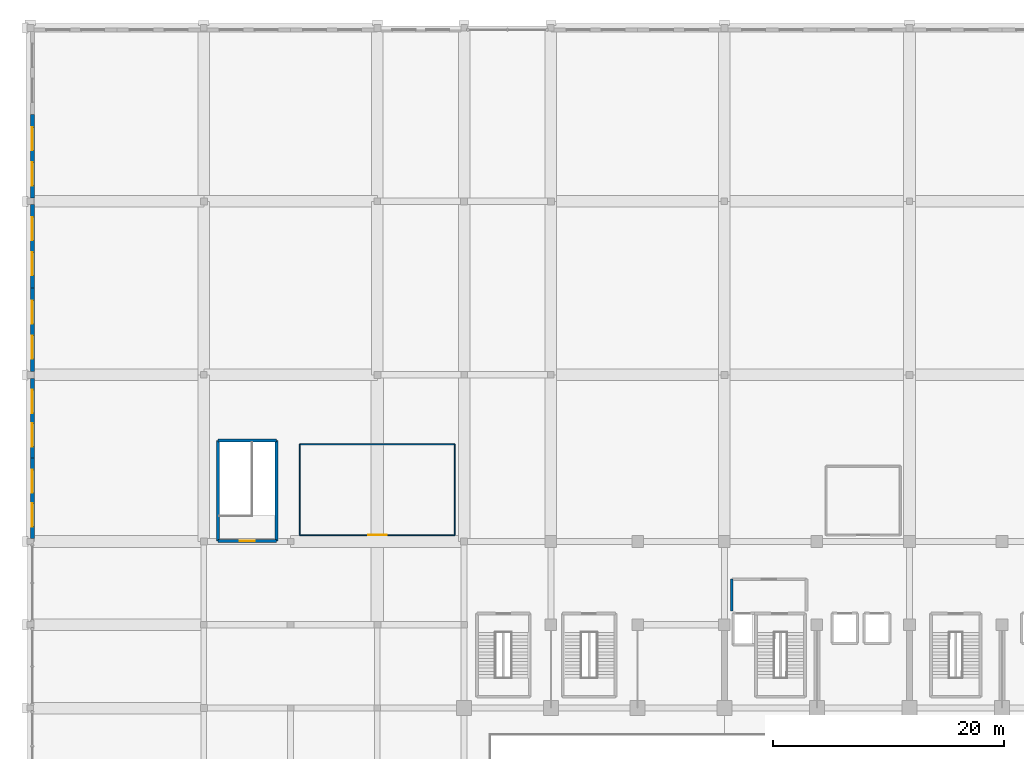
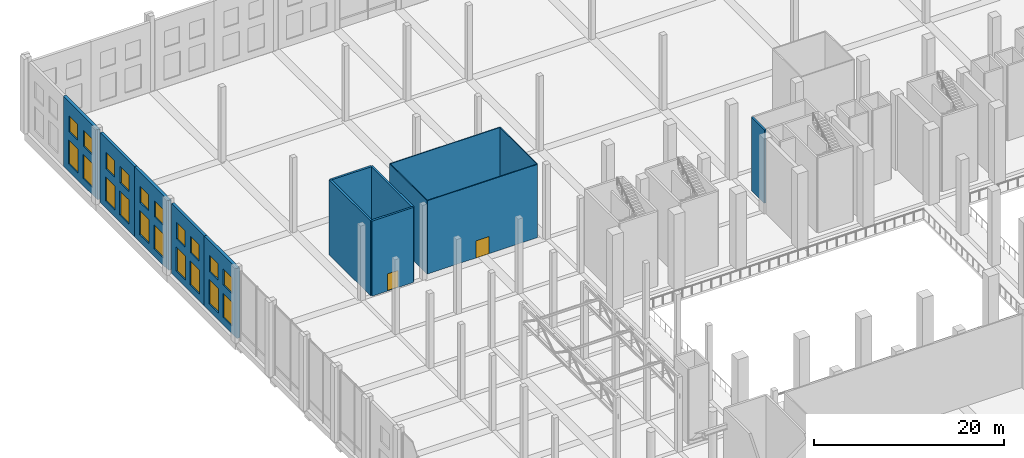
# One storey, part 66 of 80: 20 windows, 14 walls, 2 doors, 22 openings.
"""IFC4 building model written with IfcOpenShell, lengths in metres."""

from ifc_helpers import new_model, si_unit, direction, frame, frame_2d, origin, place, context, subcontext, project, spatial, rectangle, extrude, material, layer, layer_set, type_object, element, fill, save


model = new_model("IFC4")

# Units and contexts
model_context = context("Model", 3, precision=1e-05, world=origin(), true_north=direction((0.0, 1.0)))
body_context = subcontext(model_context, "Body", "Model", "MODEL_VIEW")
ifc_project = project(units=[si_unit("LENGTHUNIT", "METRE"), si_unit("AREAUNIT", "SQUARE_METRE"), si_unit("VOLUMEUNIT", "CUBIC_METRE"), si_unit("PLANEANGLEUNIT", "RADIAN"), si_unit("MASSUNIT", "GRAM", prefix="KILO")], contexts=[model_context])

# Site, building, storey
site_placement = place(None, origin())
site = spatial("IfcSite", under=ifc_project, at=site_placement, CompositionType="ELEMENT")
building_placement = place(site_placement, origin())
building = spatial("IfcBuilding", under=site, at=building_placement, Name="Akrevak Sports Hall", CompositionType="ELEMENT")
storey_placement = place(building_placement, frame((0.0, 0.0, 14.0)))
storey = spatial("IfcBuildingStorey", under=building, at=storey_placement, Name="L03", CompositionType="ELEMENT", Elevation=14.0)

# Wall, openings, windows
ifc_material_1 = material(Name="Limestone Ashlar", Category="stone")
ifc_layer_1 = layer(ifc_material_1, 0.070068359375, Name="Limestone Ashlar")
ifc_material_2 = material(Name="Mineral Wool Thermal Insulation", Category="insulation")
ifc_layer_2 = layer(ifc_material_2, 0.10009765625, Name="Mineral Wool Thermal Insulation")
ifc_material_3 = material(Name="Concrete C40/50", Category="concrete")
ifc_layer_3 = layer(ifc_material_3, 0.169921875, Name="Concrete C40/50")
ifc_layer_set_1 = layer_set([ifc_layer_1, ifc_layer_2, ifc_layer_3], Name="Limestone Ashlar / Mineral Wool Thermal Insulation / Concrete C40/50")
wall_type_1 = type_object("IfcWallType", Name="ARC-WL-EXT-340", PredefinedType="SOLIDWALL", material=ifc_layer_set_1)
wall_1_placement = place(storey_placement, frame((0.169921875, 76.800048828125, 0.0), z_axis=(0.0, 0.0, 1.0), x_axis=(0.0, -1.0, 0.0)))
wall_1 = element("IfcWall", 1, at=wall_1_placement, inside=storey, type_object=wall_type_1, Name="Exterior Limestone Wall L03-W09", PredefinedType="SOLIDWALL", context=body_context, shape_type="SweptSolid", body=[
    extrude(rectangle(XDim=6.925048828125, YDim=0.340087890625, at=frame_2d((3.46240234375, 0.0))), origin(), (0.0, 0.0, 1.0), 9.0),
])
opening_1_placement = place(wall_1_placement, frame((3.916748046875, 0.0, 0.919921875)))
opening_1 = element("IfcOpeningElement", 2, at=opening_1_placement, cuts=wall_1, Name="Opening WN-41", PredefinedType="OPENING", context=body_context, shape_type="SweptSolid", body=[
    extrude(rectangle(XDim=2.0, YDim=3.10009765625, at=frame_2d((1.0, 1.550048828125))), frame((0.0, 0.18212890625, 0.0), z_axis=(0.0, -1.0, 0.0), x_axis=(1.0, 0.0, 0.0)), (0.0, 0.0, 1.0), 0.364013671875),
])
opening_2_placement = place(wall_1_placement, frame((4.0166015625, 0.0, 5.10009765625)))
opening_2 = element("IfcOpeningElement", 3, at=opening_2_placement, cuts=wall_1, Name="Opening WN-37", PredefinedType="OPENING", context=body_context, shape_type="SweptSolid", body=[
    extrude(rectangle(XDim=1.800048828125, YDim=2.10009765625, at=frame_2d((0.89990234375, 1.050048828125))), frame((0.0, 0.18212890625, 0.0), z_axis=(0.0, -1.0, 0.0), x_axis=(1.0, 0.0, 0.0)), (0.0, 0.0, 1.0), 0.364013671875),
])
opening_3_placement = place(wall_1_placement, frame((1.00830078125, 0.0, 0.919921875)))
opening_3 = element("IfcOpeningElement", 4, at=opening_3_placement, cuts=wall_1, Name="Opening WN-41", PredefinedType="OPENING", context=body_context, shape_type="SweptSolid", body=[
    extrude(rectangle(XDim=2.0, YDim=3.10009765625, at=frame_2d((1.0, 1.550048828125))), frame((0.0, 0.18212890625, 0.0), z_axis=(0.0, -1.0, 0.0), x_axis=(1.0, 0.0, 0.0)), (0.0, 0.0, 1.0), 0.364013671875),
])
opening_4_placement = place(wall_1_placement, frame((1.1083984375, 0.0, 5.10009765625)))
opening_4 = element("IfcOpeningElement", 5, at=opening_4_placement, cuts=wall_1, Name="Opening WN-37", PredefinedType="OPENING", context=body_context, shape_type="SweptSolid", body=[
    extrude(rectangle(XDim=1.800048828125, YDim=2.10009765625, at=frame_2d((0.89990234375, 1.050048828125))), frame((0.0, 0.18212890625, 0.0), z_axis=(0.0, -1.0, 0.0), x_axis=(1.0, 0.0, 0.0)), (0.0, 0.0, 1.0), 0.364013671875),
])
ifc_material_4 = material(Name="Thermally Broken Bronze Frame & Double Low-E Glass", Category="glass")
window_type_1 = type_object("IfcWindowType", Name="ARC-WIN-SZ-1800x2100", PartitioningType="SINGLE_PANEL", PredefinedType="WINDOW", material=ifc_material_4)
window_1_placement = place(opening_2_placement, origin())
window_1 = element("IfcWindow", 6, at=window_1_placement, inside=storey, type_object=window_type_1, Name="Beaux-Arts Attic Clerestory Window WIN-L03-W09-1U", OverallHeight=2.10009765625, OverallWidth=1.800048828125, PartitioningType="SINGLE_PANEL", PredefinedType="WINDOW", context=body_context, shape_type="SweptSolid", body=[
    extrude(rectangle(XDim=1.800048828125, YDim=2.10009765625, at=frame_2d((0.89990234375, 1.050048828125))), frame((0.0, 0.030029296875, 0.0), z_axis=(0.0, -1.0, 0.0), x_axis=(1.0, 0.0, 0.0)), (0.0, 0.0, 1.0), 0.06005859375),
])
fill(opening_2, window_1)
window_2_placement = place(opening_4_placement, origin())
window_2 = element("IfcWindow", 7, at=window_2_placement, inside=storey, type_object=window_type_1, Name="Beaux-Arts Attic Clerestory Window WIN-L03-W09-2U", OverallHeight=2.10009765625, OverallWidth=1.800048828125, PartitioningType="SINGLE_PANEL", PredefinedType="WINDOW", context=body_context, shape_type="SweptSolid", body=[
    extrude(rectangle(XDim=1.800048828125, YDim=2.10009765625, at=frame_2d((0.89990234375, 1.050048828125))), frame((0.0, 0.030029296875, 0.0), z_axis=(0.0, -1.0, 0.0), x_axis=(1.0, 0.0, 0.0)), (0.0, 0.0, 1.0), 0.06005859375),
])
fill(opening_4, window_2)
window_type_2 = type_object("IfcWindowType", Name="ARC-WIN-SZ-2000x3100", PartitioningType="SINGLE_PANEL", PredefinedType="WINDOW", material=ifc_material_4)
window_3_placement = place(opening_1_placement, origin())
window_3 = element("IfcWindow", 8, at=window_3_placement, inside=storey, type_object=window_type_2, Name="Beaux-Arts Facade Window WIN-L03-W09-1", OverallHeight=3.10009765625, OverallWidth=2.0, PartitioningType="SINGLE_PANEL", PredefinedType="WINDOW", context=body_context, shape_type="SweptSolid", body=[
    extrude(rectangle(XDim=2.0, YDim=3.10009765625, at=frame_2d((1.0, 1.550048828125))), frame((0.0, 0.030029296875, 0.0), z_axis=(0.0, -1.0, 0.0), x_axis=(1.0, 0.0, 0.0)), (0.0, 0.0, 1.0), 0.06005859375),
])
fill(opening_1, window_3)
window_4_placement = place(opening_3_placement, origin())
window_4 = element("IfcWindow", 9, at=window_4_placement, inside=storey, type_object=window_type_2, Name="Beaux-Arts Facade Window WIN-L03-W09-2", OverallHeight=3.10009765625, OverallWidth=2.0, PartitioningType="SINGLE_PANEL", PredefinedType="WINDOW", context=body_context, shape_type="SweptSolid", body=[
    extrude(rectangle(XDim=2.0, YDim=3.10009765625, at=frame_2d((1.0, 1.550048828125))), frame((0.0, 0.030029296875, 0.0), z_axis=(0.0, -1.0, 0.0), x_axis=(1.0, 0.0, 0.0)), (0.0, 0.0, 1.0), 0.06005859375),
])
fill(opening_3, window_4)

wall_2_placement = place(storey_placement, frame((0.169921875, 83.699951171875, 0.0), z_axis=(0.0, 0.0, 1.0), x_axis=(0.0, -1.0, 0.0)))
wall_2 = element("IfcWall", 10, at=wall_2_placement, inside=storey, type_object=wall_type_1, Name="Exterior Limestone Wall L03-W10", PredefinedType="SOLIDWALL", context=body_context, shape_type="SweptSolid", body=[
    extrude(rectangle(XDim=6.89990234375, YDim=0.340087890625, at=frame_2d((3.449951171875, 0.0))), origin(), (0.0, 0.0, 1.0), 9.0),
])
opening_5_placement = place(wall_2_placement, frame((3.89892578125, 0.0, 0.919921875)))
opening_5 = element("IfcOpeningElement", 11, at=opening_5_placement, cuts=wall_2, Name="Opening WN-41", PredefinedType="OPENING", context=body_context, shape_type="SweptSolid", body=[
    extrude(rectangle(XDim=2.0, YDim=3.10009765625, at=frame_2d((1.0, 1.550048828125))), frame((0.0, 0.18212890625, 0.0), z_axis=(0.0, -1.0, 0.0), x_axis=(1.0, 0.0, 0.0)), (0.0, 0.0, 1.0), 0.364013671875),
])
opening_6_placement = place(wall_2_placement, frame((3.9990234375, 0.0, 5.10009765625)))
opening_6 = element("IfcOpeningElement", 12, at=opening_6_placement, cuts=wall_2, Name="Opening WN-37", PredefinedType="OPENING", context=body_context, shape_type="SweptSolid", body=[
    extrude(rectangle(XDim=1.800048828125, YDim=2.10009765625, at=frame_2d((0.89990234375, 1.050048828125))), frame((0.0, 0.18212890625, 0.0), z_axis=(0.0, -1.0, 0.0), x_axis=(1.0, 0.0, 0.0)), (0.0, 0.0, 1.0), 0.364013671875),
])
opening_7_placement = place(wall_2_placement, frame((1.0009765625, 0.0, 0.919921875)))
opening_7 = element("IfcOpeningElement", 13, at=opening_7_placement, cuts=wall_2, Name="Opening WN-41", PredefinedType="OPENING", context=body_context, shape_type="SweptSolid", body=[
    extrude(rectangle(XDim=2.0, YDim=3.10009765625, at=frame_2d((1.0, 1.550048828125))), frame((0.0, 0.18212890625, 0.0), z_axis=(0.0, -1.0, 0.0), x_axis=(1.0, 0.0, 0.0)), (0.0, 0.0, 1.0), 0.364013671875),
])
opening_8_placement = place(wall_2_placement, frame((1.10107421875, 0.0, 5.10009765625)))
opening_8 = element("IfcOpeningElement", 14, at=opening_8_placement, cuts=wall_2, Name="Opening WN-37", PredefinedType="OPENING", context=body_context, shape_type="SweptSolid", body=[
    extrude(rectangle(XDim=1.800048828125, YDim=2.10009765625, at=frame_2d((0.89990234375, 1.050048828125))), frame((0.0, 0.18212890625, 0.0), z_axis=(0.0, -1.0, 0.0), x_axis=(1.0, 0.0, 0.0)), (0.0, 0.0, 1.0), 0.364013671875),
])
window_5_placement = place(opening_6_placement, origin())
window_5 = element("IfcWindow", 15, at=window_5_placement, inside=storey, type_object=window_type_1, Name="Beaux-Arts Attic Clerestory Window WIN-L03-W10-1U", OverallHeight=2.10009765625, OverallWidth=1.800048828125, PartitioningType="SINGLE_PANEL", PredefinedType="WINDOW", context=body_context, shape_type="SweptSolid", body=[
    extrude(rectangle(XDim=1.800048828125, YDim=2.10009765625, at=frame_2d((0.89990234375, 1.050048828125))), frame((0.0, 0.030029296875, 0.0), z_axis=(0.0, -1.0, 0.0), x_axis=(1.0, 0.0, 0.0)), (0.0, 0.0, 1.0), 0.06005859375),
])
fill(opening_6, window_5)
window_6_placement = place(opening_8_placement, origin())
window_6 = element("IfcWindow", 16, at=window_6_placement, inside=storey, type_object=window_type_1, Name="Beaux-Arts Attic Clerestory Window WIN-L03-W10-2U", OverallHeight=2.10009765625, OverallWidth=1.800048828125, PartitioningType="SINGLE_PANEL", PredefinedType="WINDOW", context=body_context, shape_type="SweptSolid", body=[
    extrude(rectangle(XDim=1.800048828125, YDim=2.10009765625, at=frame_2d((0.89990234375, 1.050048828125))), frame((0.0, 0.030029296875, 0.0), z_axis=(0.0, -1.0, 0.0), x_axis=(1.0, 0.0, 0.0)), (0.0, 0.0, 1.0), 0.06005859375),
])
fill(opening_8, window_6)
window_7_placement = place(opening_5_placement, origin())
window_7 = element("IfcWindow", 17, at=window_7_placement, inside=storey, type_object=window_type_2, Name="Beaux-Arts Facade Window WIN-L03-W10-1", OverallHeight=3.10009765625, OverallWidth=2.0, PartitioningType="SINGLE_PANEL", PredefinedType="WINDOW", context=body_context, shape_type="SweptSolid", body=[
    extrude(rectangle(XDim=2.0, YDim=3.10009765625, at=frame_2d((1.0, 1.550048828125))), frame((0.0, 0.030029296875, 0.0), z_axis=(0.0, -1.0, 0.0), x_axis=(1.0, 0.0, 0.0)), (0.0, 0.0, 1.0), 0.06005859375),
])
fill(opening_5, window_7)
window_8_placement = place(opening_7_placement, origin())
window_8 = element("IfcWindow", 18, at=window_8_placement, inside=storey, type_object=window_type_2, Name="Beaux-Arts Facade Window WIN-L03-W10-2", OverallHeight=3.10009765625, OverallWidth=2.0, PartitioningType="SINGLE_PANEL", PredefinedType="WINDOW", context=body_context, shape_type="SweptSolid", body=[
    extrude(rectangle(XDim=2.0, YDim=3.10009765625, at=frame_2d((1.0, 1.550048828125))), frame((0.0, 0.030029296875, 0.0), z_axis=(0.0, -1.0, 0.0), x_axis=(1.0, 0.0, 0.0)), (0.0, 0.0, 1.0), 0.06005859375),
])
fill(opening_7, window_8)

wall_3_placement = place(storey_placement, frame((0.169921875, 91.5, 0.0), z_axis=(0.0, 0.0, 1.0), x_axis=(0.0, -1.0, 0.0)))
wall_3 = element("IfcWall", 19, at=wall_3_placement, inside=storey, type_object=wall_type_1, Name="Exterior Limestone Wall L03-W11", PredefinedType="SOLIDWALL", context=body_context, shape_type="SweptSolid", body=[
    extrude(rectangle(XDim=7.199951171875, YDim=0.340087890625, at=frame_2d((3.60009765625, 0.0))), origin(), (0.0, 0.0, 1.0), 9.0),
])
opening_9_placement = place(wall_3_placement, frame((4.112060546875, 0.0, 0.919921875)))
opening_9 = element("IfcOpeningElement", 20, at=opening_9_placement, cuts=wall_3, Name="Opening WN-41", PredefinedType="OPENING", context=body_context, shape_type="SweptSolid", body=[
    extrude(rectangle(XDim=2.0, YDim=3.10009765625, at=frame_2d((1.0, 1.550048828125))), frame((0.0, 0.18212890625, 0.0), z_axis=(0.0, -1.0, 0.0), x_axis=(1.0, 0.0, 0.0)), (0.0, 0.0, 1.0), 0.364013671875),
])
opening_10_placement = place(wall_3_placement, frame((4.2119140625, 0.0, 5.10009765625)))
opening_10 = element("IfcOpeningElement", 21, at=opening_10_placement, cuts=wall_3, Name="Opening WN-37", PredefinedType="OPENING", context=body_context, shape_type="SweptSolid", body=[
    extrude(rectangle(XDim=1.800048828125, YDim=2.10009765625, at=frame_2d((0.89990234375, 1.050048828125))), frame((0.0, 0.18212890625, 0.0), z_axis=(0.0, -1.0, 0.0), x_axis=(1.0, 0.0, 0.0)), (0.0, 0.0, 1.0), 0.364013671875),
])
opening_11_placement = place(wall_3_placement, frame((1.087890625, 0.0, 0.919921875)))
opening_11 = element("IfcOpeningElement", 22, at=opening_11_placement, cuts=wall_3, Name="Opening WN-41", PredefinedType="OPENING", context=body_context, shape_type="SweptSolid", body=[
    extrude(rectangle(XDim=2.0, YDim=3.10009765625, at=frame_2d((1.0, 1.550048828125))), frame((0.0, 0.18212890625, 0.0), z_axis=(0.0, -1.0, 0.0), x_axis=(1.0, 0.0, 0.0)), (0.0, 0.0, 1.0), 0.364013671875),
])
opening_12_placement = place(wall_3_placement, frame((1.18798828125, 0.0, 5.10009765625)))
opening_12 = element("IfcOpeningElement", 23, at=opening_12_placement, cuts=wall_3, Name="Opening WN-37", PredefinedType="OPENING", context=body_context, shape_type="SweptSolid", body=[
    extrude(rectangle(XDim=1.800048828125, YDim=2.10009765625, at=frame_2d((0.89990234375, 1.050048828125))), frame((0.0, 0.18212890625, 0.0), z_axis=(0.0, -1.0, 0.0), x_axis=(1.0, 0.0, 0.0)), (0.0, 0.0, 1.0), 0.364013671875),
])
window_9_placement = place(opening_10_placement, origin())
window_9 = element("IfcWindow", 24, at=window_9_placement, inside=storey, type_object=window_type_1, Name="Beaux-Arts Attic Clerestory Window WIN-L03-W11-1U", OverallHeight=2.10009765625, OverallWidth=1.800048828125, PartitioningType="SINGLE_PANEL", PredefinedType="WINDOW", context=body_context, shape_type="SweptSolid", body=[
    extrude(rectangle(XDim=1.800048828125, YDim=2.10009765625, at=frame_2d((0.89990234375, 1.050048828125))), frame((0.0, 0.030029296875, 0.0), z_axis=(0.0, -1.0, 0.0), x_axis=(1.0, 0.0, 0.0)), (0.0, 0.0, 1.0), 0.06005859375),
])
fill(opening_10, window_9)
window_10_placement = place(opening_12_placement, origin())
window_10 = element("IfcWindow", 25, at=window_10_placement, inside=storey, type_object=window_type_1, Name="Beaux-Arts Attic Clerestory Window WIN-L03-W11-2U", OverallHeight=2.10009765625, OverallWidth=1.800048828125, PartitioningType="SINGLE_PANEL", PredefinedType="WINDOW", context=body_context, shape_type="SweptSolid", body=[
    extrude(rectangle(XDim=1.800048828125, YDim=2.10009765625, at=frame_2d((0.89990234375, 1.050048828125))), frame((0.0, 0.030029296875, 0.0), z_axis=(0.0, -1.0, 0.0), x_axis=(1.0, 0.0, 0.0)), (0.0, 0.0, 1.0), 0.06005859375),
])
fill(opening_12, window_10)
window_11_placement = place(opening_9_placement, origin())
window_11 = element("IfcWindow", 26, at=window_11_placement, inside=storey, type_object=window_type_2, Name="Beaux-Arts Facade Window WIN-L03-W11-1", OverallHeight=3.10009765625, OverallWidth=2.0, PartitioningType="SINGLE_PANEL", PredefinedType="WINDOW", context=body_context, shape_type="SweptSolid", body=[
    extrude(rectangle(XDim=2.0, YDim=3.10009765625, at=frame_2d((1.0, 1.550048828125))), frame((0.0, 0.030029296875, 0.0), z_axis=(0.0, -1.0, 0.0), x_axis=(1.0, 0.0, 0.0)), (0.0, 0.0, 1.0), 0.06005859375),
])
fill(opening_9, window_11)
window_12_placement = place(opening_11_placement, origin())
window_12 = element("IfcWindow", 27, at=window_12_placement, inside=storey, type_object=window_type_2, Name="Beaux-Arts Facade Window WIN-L03-W11-2", OverallHeight=3.10009765625, OverallWidth=2.0, PartitioningType="SINGLE_PANEL", PredefinedType="WINDOW", context=body_context, shape_type="SweptSolid", body=[
    extrude(rectangle(XDim=2.0, YDim=3.10009765625, at=frame_2d((1.0, 1.550048828125))), frame((0.0, 0.030029296875, 0.0), z_axis=(0.0, -1.0, 0.0), x_axis=(1.0, 0.0, 0.0)), (0.0, 0.0, 1.0), 0.06005859375),
])
fill(opening_11, window_12)

wall_4_placement = place(storey_placement, frame((0.169921875, 98.72509765625, 0.0), z_axis=(0.0, 0.0, 1.0), x_axis=(0.0, -1.0, 0.0)))
wall_4 = element("IfcWall", 28, at=wall_4_placement, inside=storey, type_object=wall_type_1, Name="Exterior Limestone Wall L03-W12", PredefinedType="SOLIDWALL", context=body_context, shape_type="SweptSolid", body=[
    extrude(rectangle(XDim=7.22509765625, YDim=0.340087890625, at=frame_2d((3.612548828125, 0.0))), origin(), (0.0, 0.0, 1.0), 9.0),
])
opening_13_placement = place(wall_4_placement, frame((4.1298828125, 0.0, 0.919921875)))
opening_13 = element("IfcOpeningElement", 29, at=opening_13_placement, cuts=wall_4, Name="Opening WN-41", PredefinedType="OPENING", context=body_context, shape_type="SweptSolid", body=[
    extrude(rectangle(XDim=2.0, YDim=3.10009765625, at=frame_2d((1.0, 1.550048828125))), frame((0.0, 0.18212890625, 0.0), z_axis=(0.0, -1.0, 0.0), x_axis=(1.0, 0.0, 0.0)), (0.0, 0.0, 1.0), 0.364013671875),
])
opening_14_placement = place(wall_4_placement, frame((4.229736328125, 0.0, 5.10009765625)))
opening_14 = element("IfcOpeningElement", 30, at=opening_14_placement, cuts=wall_4, Name="Opening WN-37", PredefinedType="OPENING", context=body_context, shape_type="SweptSolid", body=[
    extrude(rectangle(XDim=1.800048828125, YDim=2.10009765625, at=frame_2d((0.89990234375, 1.050048828125))), frame((0.0, 0.18212890625, 0.0), z_axis=(0.0, -1.0, 0.0), x_axis=(1.0, 0.0, 0.0)), (0.0, 0.0, 1.0), 0.364013671875),
])
opening_15_placement = place(wall_4_placement, frame((1.09521484375, 0.0, 0.919921875)))
opening_15 = element("IfcOpeningElement", 31, at=opening_15_placement, cuts=wall_4, Name="Opening WN-41", PredefinedType="OPENING", context=body_context, shape_type="SweptSolid", body=[
    extrude(rectangle(XDim=2.0, YDim=3.10009765625, at=frame_2d((1.0, 1.550048828125))), frame((0.0, 0.18212890625, 0.0), z_axis=(0.0, -1.0, 0.0), x_axis=(1.0, 0.0, 0.0)), (0.0, 0.0, 1.0), 0.364013671875),
])
opening_16_placement = place(wall_4_placement, frame((1.1953125, 0.0, 5.10009765625)))
opening_16 = element("IfcOpeningElement", 32, at=opening_16_placement, cuts=wall_4, Name="Opening WN-37", PredefinedType="OPENING", context=body_context, shape_type="SweptSolid", body=[
    extrude(rectangle(XDim=1.800048828125, YDim=2.10009765625, at=frame_2d((0.89990234375, 1.050048828125))), frame((0.0, 0.18212890625, 0.0), z_axis=(0.0, -1.0, 0.0), x_axis=(1.0, 0.0, 0.0)), (0.0, 0.0, 1.0), 0.364013671875),
])
window_13_placement = place(opening_14_placement, origin())
window_13 = element("IfcWindow", 33, at=window_13_placement, inside=storey, type_object=window_type_1, Name="Beaux-Arts Attic Clerestory Window WIN-L03-W12-1U", OverallHeight=2.10009765625, OverallWidth=1.800048828125, PartitioningType="SINGLE_PANEL", PredefinedType="WINDOW", context=body_context, shape_type="SweptSolid", body=[
    extrude(rectangle(XDim=1.800048828125, YDim=2.10009765625, at=frame_2d((0.89990234375, 1.050048828125))), frame((0.0, 0.030029296875, 0.0), z_axis=(0.0, -1.0, 0.0), x_axis=(1.0, 0.0, 0.0)), (0.0, 0.0, 1.0), 0.06005859375),
])
fill(opening_14, window_13)
window_14_placement = place(opening_16_placement, origin())
window_14 = element("IfcWindow", 34, at=window_14_placement, inside=storey, type_object=window_type_1, Name="Beaux-Arts Attic Clerestory Window WIN-L03-W12-2U", OverallHeight=2.10009765625, OverallWidth=1.800048828125, PartitioningType="SINGLE_PANEL", PredefinedType="WINDOW", context=body_context, shape_type="SweptSolid", body=[
    extrude(rectangle(XDim=1.800048828125, YDim=2.10009765625, at=frame_2d((0.89990234375, 1.050048828125))), frame((0.0, 0.030029296875, 0.0), z_axis=(0.0, -1.0, 0.0), x_axis=(1.0, 0.0, 0.0)), (0.0, 0.0, 1.0), 0.06005859375),
])
fill(opening_16, window_14)
window_15_placement = place(opening_13_placement, origin())
window_15 = element("IfcWindow", 35, at=window_15_placement, inside=storey, type_object=window_type_2, Name="Beaux-Arts Facade Window WIN-L03-W12-1", OverallHeight=3.10009765625, OverallWidth=2.0, PartitioningType="SINGLE_PANEL", PredefinedType="WINDOW", context=body_context, shape_type="SweptSolid", body=[
    extrude(rectangle(XDim=2.0, YDim=3.10009765625, at=frame_2d((1.0, 1.550048828125))), frame((0.0, 0.030029296875, 0.0), z_axis=(0.0, -1.0, 0.0), x_axis=(1.0, 0.0, 0.0)), (0.0, 0.0, 1.0), 0.06005859375),
])
fill(opening_13, window_15)
window_16_placement = place(opening_15_placement, origin())
window_16 = element("IfcWindow", 36, at=window_16_placement, inside=storey, type_object=window_type_2, Name="Beaux-Arts Facade Window WIN-L03-W12-2", OverallHeight=3.10009765625, OverallWidth=2.0, PartitioningType="SINGLE_PANEL", PredefinedType="WINDOW", context=body_context, shape_type="SweptSolid", body=[
    extrude(rectangle(XDim=2.0, YDim=3.10009765625, at=frame_2d((1.0, 1.550048828125))), frame((0.0, 0.030029296875, 0.0), z_axis=(0.0, -1.0, 0.0), x_axis=(1.0, 0.0, 0.0)), (0.0, 0.0, 1.0), 0.06005859375),
])
fill(opening_15, window_16)

wall_5_placement = place(storey_placement, frame((0.169921875, 106.5, 0.0), z_axis=(0.0, 0.0, 1.0), x_axis=(0.0, -1.0, 0.0)))
wall_5 = element("IfcWall", 37, at=wall_5_placement, inside=storey, type_object=wall_type_1, Name="Exterior Limestone Wall L03-W13", PredefinedType="SOLIDWALL", context=body_context, shape_type="SweptSolid", body=[
    extrude(rectangle(XDim=7.22509765625, YDim=0.340087890625, at=frame_2d((3.612548828125, 0.0))), origin(), (0.0, 0.0, 1.0), 9.0),
])
opening_17_placement = place(wall_5_placement, frame((4.1298828125, 0.0, 0.919921875)))
opening_17 = element("IfcOpeningElement", 38, at=opening_17_placement, cuts=wall_5, Name="Opening WN-41", PredefinedType="OPENING", context=body_context, shape_type="SweptSolid", body=[
    extrude(rectangle(XDim=2.0, YDim=3.10009765625, at=frame_2d((1.0, 1.550048828125))), frame((0.0, 0.18212890625, 0.0), z_axis=(0.0, -1.0, 0.0), x_axis=(1.0, 0.0, 0.0)), (0.0, 0.0, 1.0), 0.364013671875),
])
opening_18_placement = place(wall_5_placement, frame((4.229736328125, 0.0, 5.10009765625)))
opening_18 = element("IfcOpeningElement", 39, at=opening_18_placement, cuts=wall_5, Name="Opening WN-37", PredefinedType="OPENING", context=body_context, shape_type="SweptSolid", body=[
    extrude(rectangle(XDim=1.800048828125, YDim=2.10009765625, at=frame_2d((0.89990234375, 1.050048828125))), frame((0.0, 0.18212890625, 0.0), z_axis=(0.0, -1.0, 0.0), x_axis=(1.0, 0.0, 0.0)), (0.0, 0.0, 1.0), 0.364013671875),
])
opening_19_placement = place(wall_5_placement, frame((1.09521484375, 0.0, 0.919921875)))
opening_19 = element("IfcOpeningElement", 40, at=opening_19_placement, cuts=wall_5, Name="Opening WN-41", PredefinedType="OPENING", context=body_context, shape_type="SweptSolid", body=[
    extrude(rectangle(XDim=2.0, YDim=3.10009765625, at=frame_2d((1.0, 1.550048828125))), frame((0.0, 0.18212890625, 0.0), z_axis=(0.0, -1.0, 0.0), x_axis=(1.0, 0.0, 0.0)), (0.0, 0.0, 1.0), 0.364013671875),
])
opening_20_placement = place(wall_5_placement, frame((1.1953125, 0.0, 5.10009765625)))
opening_20 = element("IfcOpeningElement", 41, at=opening_20_placement, cuts=wall_5, Name="Opening WN-37", PredefinedType="OPENING", context=body_context, shape_type="SweptSolid", body=[
    extrude(rectangle(XDim=1.800048828125, YDim=2.10009765625, at=frame_2d((0.89990234375, 1.050048828125))), frame((0.0, 0.18212890625, 0.0), z_axis=(0.0, -1.0, 0.0), x_axis=(1.0, 0.0, 0.0)), (0.0, 0.0, 1.0), 0.364013671875),
])
window_17_placement = place(opening_18_placement, origin())
window_17 = element("IfcWindow", 42, at=window_17_placement, inside=storey, type_object=window_type_1, Name="Beaux-Arts Attic Clerestory Window WIN-L03-W13-1U", OverallHeight=2.10009765625, OverallWidth=1.800048828125, PartitioningType="SINGLE_PANEL", PredefinedType="WINDOW", context=body_context, shape_type="SweptSolid", body=[
    extrude(rectangle(XDim=1.800048828125, YDim=2.10009765625, at=frame_2d((0.89990234375, 1.050048828125))), frame((0.0, 0.030029296875, 0.0), z_axis=(0.0, -1.0, 0.0), x_axis=(1.0, 0.0, 0.0)), (0.0, 0.0, 1.0), 0.06005859375),
])
fill(opening_18, window_17)
window_18_placement = place(opening_20_placement, origin())
window_18 = element("IfcWindow", 43, at=window_18_placement, inside=storey, type_object=window_type_1, Name="Beaux-Arts Attic Clerestory Window WIN-L03-W13-2U", OverallHeight=2.10009765625, OverallWidth=1.800048828125, PartitioningType="SINGLE_PANEL", PredefinedType="WINDOW", context=body_context, shape_type="SweptSolid", body=[
    extrude(rectangle(XDim=1.800048828125, YDim=2.10009765625, at=frame_2d((0.89990234375, 1.050048828125))), frame((0.0, 0.030029296875, 0.0), z_axis=(0.0, -1.0, 0.0), x_axis=(1.0, 0.0, 0.0)), (0.0, 0.0, 1.0), 0.06005859375),
])
fill(opening_20, window_18)
window_19_placement = place(opening_17_placement, origin())
window_19 = element("IfcWindow", 44, at=window_19_placement, inside=storey, type_object=window_type_2, Name="Beaux-Arts Facade Window WIN-L03-W13-1", OverallHeight=3.10009765625, OverallWidth=2.0, PartitioningType="SINGLE_PANEL", PredefinedType="WINDOW", context=body_context, shape_type="SweptSolid", body=[
    extrude(rectangle(XDim=2.0, YDim=3.10009765625, at=frame_2d((1.0, 1.550048828125))), frame((0.0, 0.030029296875, 0.0), z_axis=(0.0, -1.0, 0.0), x_axis=(1.0, 0.0, 0.0)), (0.0, 0.0, 1.0), 0.06005859375),
])
fill(opening_17, window_19)
window_20_placement = place(opening_19_placement, origin())
window_20 = element("IfcWindow", 45, at=window_20_placement, inside=storey, type_object=window_type_2, Name="Beaux-Arts Facade Window WIN-L03-W13-2", OverallHeight=3.10009765625, OverallWidth=2.0, PartitioningType="SINGLE_PANEL", PredefinedType="WINDOW", context=body_context, shape_type="SweptSolid", body=[
    extrude(rectangle(XDim=2.0, YDim=3.10009765625, at=frame_2d((1.0, 1.550048828125))), frame((0.0, 0.030029296875, 0.0), z_axis=(0.0, -1.0, 0.0), x_axis=(1.0, 0.0, 0.0)), (0.0, 0.0, 1.0), 0.06005859375),
])
fill(opening_19, window_20)

# Wall, opening, door
ifc_material_5 = material(Name="Sanitary Cubicle Partition", Category="gypsum")
ifc_layer_4 = layer(ifc_material_5, 0.10009765625, Name="Sanitary Cubicle Partition")
ifc_layer_set_2 = layer_set([ifc_layer_4], Name="Sanitary Cubicle Partition")
wall_type_2 = type_object("IfcWallType", Name="ARC-WL-PRT-100", PredefinedType="PARTITIONING", material=ifc_layer_set_2)
wall_6_placement = place(storey_placement, frame((23.300048828125, 70.14990234375, 0.0), z_axis=(0.0, 0.0, 1.0), x_axis=(1.0, 0.0, 0.0)))
wall_6 = element("IfcWall", 46, at=wall_6_placement, inside=storey, type_object=wall_type_2, Name="Interior Partition Broadcast & Press Box Gallery (S)", PredefinedType="PARTITIONING", context=body_context, shape_type="SweptSolid", body=[
    extrude(rectangle(XDim=13.39990234375, YDim=0.10009765625, at=frame_2d((6.699951171875, 0.0))), origin(), (0.0, 0.0, 1.0), 9.429931640625),
])
opening_21_placement = place(wall_6_placement, frame((5.89990234375, 0.0, 0.0)))
opening_21 = element("IfcOpeningElement", 47, at=opening_21_placement, cuts=wall_6, Name="Opening ID-03", PredefinedType="OPENING", context=body_context, shape_type="SweptSolid", body=[
    extrude(rectangle(XDim=1.60009765625, YDim=2.199951171875, at=frame_2d((0.800048828125, 1.10009765625))), frame((0.0, 0.06201171875, 0.0), z_axis=(0.0, -1.0, 0.0), x_axis=(1.0, 0.0, 0.0)), (0.0, 0.0, 1.0), 0.1240234375),
])
ifc_material_6 = material(Name="Hardwood Oak & Safety Glass", Category="wood")
door_type_1 = type_object("IfcDoorType", Name="ARC-DR-HALL-160x220", OperationType="DOUBLE_DOOR_SINGLE_SWING", PredefinedType="DOOR", material=ifc_material_6)
door_1_placement = place(opening_21_placement, frame((1.60009765625, 0.0, 0.0), z_axis=(0.0, 0.0, 1.0), x_axis=(-1.0, 0.0, 0.0)))
door_1 = element("IfcDoor", 48, at=door_1_placement, inside=storey, type_object=door_type_1, Name="Door to Broadcast & Press Box Gallery", OperationType="DOUBLE_DOOR_SINGLE_SWING", OverallHeight=2.199951171875, OverallWidth=1.60009765625, PredefinedType="DOOR", context=body_context, shape_type="SweptSolid", body=[
    extrude(rectangle(XDim=1.60009765625, YDim=2.199951171875, at=frame_2d((0.800048828125, 1.10009765625))), frame((0.0, 0.02490234375, 0.0), z_axis=(0.0, -1.0, 0.0), x_axis=(1.0, 0.0, 0.0)), (0.0, 0.0, 1.0), 0.050048828125),
])
fill(opening_21, door_1)

# Walls
wall_7_placement = place(storey_placement, frame((23.300048828125, 78.0, 0.0), z_axis=(0.0, 0.0, 1.0), x_axis=(1.0, 0.0, 0.0)))
element("IfcWall", 49, at=wall_7_placement, inside=storey, type_object=wall_type_2, Name="Interior Partition Broadcast & Press Box Gallery (N)", PredefinedType="PARTITIONING", context=body_context, shape_type="SweptSolid", body=[
    extrude(rectangle(XDim=13.39990234375, YDim=0.10009765625, at=frame_2d((6.699951171875, 0.0))), origin(), (0.0, 0.0, 1.0), 9.429931640625),
])
for number, where, z_axis, x_axis, name in (
    (50, (23.300048828125, 70.14990234375, 0.0), (0.0, 0.0, 1.0), (0.0, 1.0, 0.0), "Interior Partition Broadcast & Press Box Gallery (W)"),
    (51, (36.699951171875, 70.14990234375, 0.0), (0.0, 0.0, 1.0), (0.0, 1.0, 0.0), "Interior Partition Broadcast & Press Box Gallery (E)"),
):
    element("IfcWall", number, at=place(storey_placement, frame(where, z_axis=z_axis, x_axis=x_axis)), inside=storey, type_object=wall_type_2, Name=name, PredefinedType="PARTITIONING", context=body_context, shape_type="SweptSolid", body=[
        extrude(rectangle(XDim=7.85009765625, YDim=0.10009765625, at=frame_2d((3.925048828125, 0.0))), origin(), (0.0, 0.0, 1.0), 9.429931640625),
    ])
ifc_layer_5 = layer(ifc_material_3, 0.219970703125, Name="Concrete C40/50")
ifc_layer_set_3 = layer_set([ifc_layer_5], Name="Concrete C40/50")
wall_type_3 = type_object("IfcWallType", Name="ARC-WL-PRT-220", PredefinedType="PARTITIONING", material=ifc_layer_set_3)
wall_8_placement = place(storey_placement, frame((60.64990234375, 63.60009765625, 0.0), z_axis=(0.0, 0.0, 1.0), x_axis=(0.0, 1.0, 0.0)))
element("IfcWall", 52, at=wall_8_placement, inside=storey, type_object=wall_type_3, Name="Interior Partition Firefighting Lobby West L03 (W)", PredefinedType="PARTITIONING", context=body_context, shape_type="SweptSolid", body=[
    extrude(rectangle(XDim=2.75, YDim=0.219970703125, at=frame_2d((1.375, 0.0))), origin(), (0.0, 0.0, 1.0), 9.429931640625),
])

# Wall, opening, door
ifc_material_7 = material(Name="Concrete C50/60", Category="concrete")
ifc_layer_6 = layer(ifc_material_7, 0.25, Name="Concrete C50/60")
ifc_layer_set_4 = layer_set([ifc_layer_6], Name="Concrete C50/60")
wall_type_4 = type_object("IfcWallType", Name="STR-WL-STAIR-250", PredefinedType="SHEAR", material=ifc_layer_set_4)
wall_9_placement = place(storey_placement, frame((16.22509765625, 69.625, 0.0), z_axis=(0.0, 0.0, 1.0), x_axis=(1.0, 0.0, 0.0)))
wall_9 = element("IfcWall", 53, at=wall_9_placement, inside=storey, type_object=wall_type_4, Name="Stair Core ST6 Shear Wall S (L03)", PredefinedType="SHEAR", context=body_context, shape_type="SweptSolid", body=[
    extrude(rectangle(XDim=5.0498046875, YDim=0.25, at=frame_2d((2.52490234375, 0.0))), origin(), (0.0, 0.0, 1.0), 9.64990234375),
])
opening_22_placement = place(wall_9_placement, frame((1.875, 0.0, 0.0)))
opening_22 = element("IfcOpeningElement", 54, at=opening_22_placement, cuts=wall_9, Name="Opening SD-01", PredefinedType="OPENING", context=body_context, shape_type="SweptSolid", body=[
    extrude(rectangle(XDim=1.300048828125, YDim=2.199951171875, at=frame_2d((0.64990234375, 1.10009765625))), frame((0.0, 0.136962890625, 0.0), z_axis=(0.0, -1.0, 0.0), x_axis=(1.0, 0.0, 0.0)), (0.0, 0.0, 1.0), 0.27392578125),
])
ifc_material_8 = material(Name="Fire-Rated Galvanized Door Steel", Category="steel")
door_type_2 = type_object("IfcDoorType", Name="ARC-DR-STAIR-130x220", OperationType="NOTDEFINED", PredefinedType="DOOR", material=ifc_material_8)
door_2_placement = place(opening_22_placement, origin())
door_2 = element("IfcDoor", 55, at=door_2_placement, inside=storey, type_object=door_type_2, Name="Exit Stair ST6 Door (L03)", OperationType="SINGLE_SWING_RIGHT", OverallHeight=2.199951171875, OverallWidth=1.300048828125, PredefinedType="DOOR", context=body_context, shape_type="SweptSolid", body=[
    extrude(rectangle(XDim=1.300048828125, YDim=2.199951171875, at=frame_2d((0.64990234375, 1.10009765625))), frame((0.0, 0.02490234375, 0.0), z_axis=(0.0, -1.0, 0.0), x_axis=(1.0, 0.0, 0.0)), (0.0, 0.0, 1.0), 0.050048828125),
])
fill(opening_22, door_2)

# Walls
wall_10_placement = place(storey_placement, frame((21.27490234375, 78.324951171875, 0.0), z_axis=(0.0, 0.0, 1.0), x_axis=(-1.0, 0.0, 0.0)))
element("IfcWall", 56, at=wall_10_placement, inside=storey, type_object=wall_type_4, Name="Stair Core ST6 Shear Wall N (L03)", PredefinedType="SHEAR", context=body_context, shape_type="SweptSolid", body=[
    extrude(rectangle(XDim=5.0498046875, YDim=0.25, at=frame_2d((2.52490234375, 0.0))), origin(), (0.0, 0.0, 1.0), 9.64990234375),
])
for number, where, z_axis, x_axis, name in (
    (57, (16.22509765625, 78.324951171875, 0.0), (0.0, 0.0, 1.0), (0.0, -1.0, 0.0), "Stair Core ST6 Shear Wall W (L03)"),
    (58, (21.27490234375, 69.625, 0.0), (0.0, 0.0, 1.0), (0.0, 1.0, 0.0), "Stair Core ST6 Shear Wall E (L03)"),
):
    element("IfcWall", number, at=place(storey_placement, frame(where, z_axis=z_axis, x_axis=x_axis)), inside=storey, type_object=wall_type_4, Name=name, PredefinedType="SHEAR", context=body_context, shape_type="SweptSolid", body=[
        extrude(rectangle(XDim=8.699951171875, YDim=0.25, at=frame_2d((4.35009765625, 0.0))), origin(), (0.0, 0.0, 1.0), 9.64990234375),
    ])

save(model, "model.ifc")
